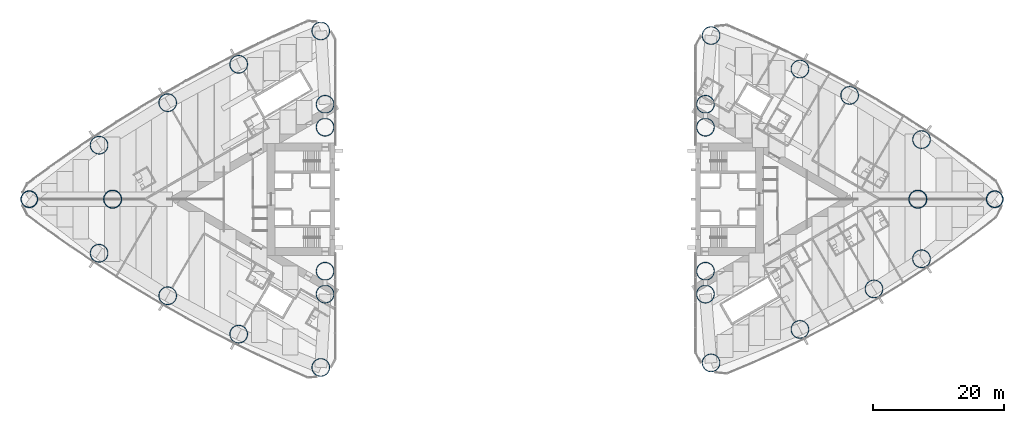
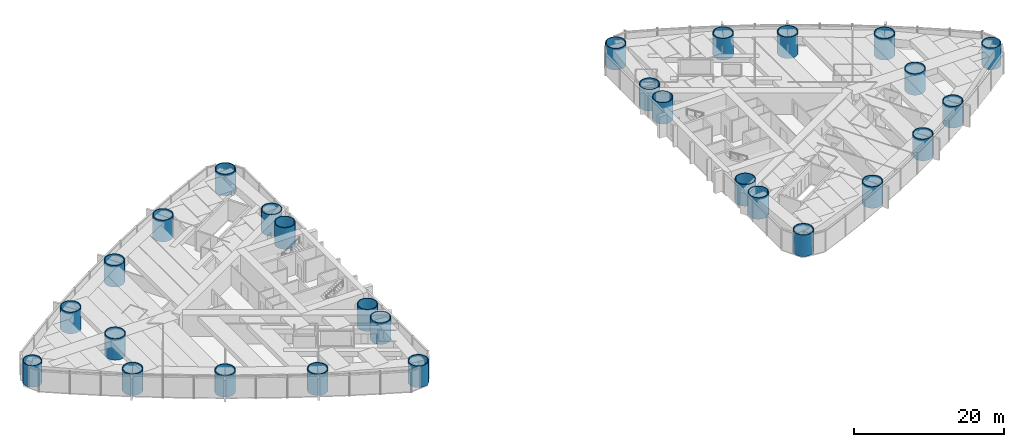
# One storey, part 1 of 18: 28 columns.
"""IFC4 building model written with IfcOpenShell, lengths in metres."""

from ifc_helpers import new_model, si_unit, direction, frame, origin, origin_2d, place, context, subcontext, project, spatial, hollow_circle, extrude, material, material_profile, profile_set, type_object, element, save


model = new_model("IFC4")

# Units and contexts
model_context = context("Model", 3, precision=1e-05, world=origin(), true_north=direction((0.0, 1.0)))
body_context = subcontext(model_context, "Body", "Model", "MODEL_VIEW")
ifc_project = project(units=[si_unit("LENGTHUNIT", "METRE"), si_unit("AREAUNIT", "SQUARE_METRE"), si_unit("VOLUMEUNIT", "CUBIC_METRE"), si_unit("PLANEANGLEUNIT", "RADIAN"), si_unit("MASSUNIT", "GRAM", prefix="KILO")], contexts=[model_context])

# Site, building, storey
site_placement = place(None, origin())
site = spatial("IfcSite", under=ifc_project, at=site_placement, CompositionType="ELEMENT")
building_placement = place(site_placement, origin())
building = spatial("IfcBuilding", under=site, at=building_placement, Name="Lancet Gate Hotel", CompositionType="ELEMENT")
storey_placement = place(building_placement, frame((0.0, 0.0, 49.5)))
storey = spatial("IfcBuildingStorey", under=building, at=storey_placement, Name="L12", CompositionType="ELEMENT", Elevation=49.5)

# Columns
ifc_material_1 = material(Name="Composite filled tube, grade 460 plate, grade 80/95 fill", Category="composite")
ifc_material_profile_1 = material_profile(ifc_material_1, hollow_circle(Radius=1.39990234375, WallThickness=0.10009765625, at=origin_2d()), Name="CHS 2800x100")
ifc_profile_set_1 = profile_set([ifc_material_profile_1], Name="Composite filled tube, grade 460 plate, grade 80/95 fill")
column_type_1 = type_object("IfcColumnType", Name="Apex column CFT CHS 2800x100", PredefinedType="COLUMN", material=ifc_profile_set_1)
for number, where, z_axis, x_axis, name in (
    (1, (-61.5, 0.0, 0.0), (0.0, 0.0, 1.0), (1.0, 0.0, 0.0), "T1 column AX L12"),
    (2, (61.5, 0.0, 0.0), (0.0, 0.0, 1.0), (1.0, 0.0, 0.0), "T2 column AX L12"),
):
    element("IfcColumn", number, at=place(storey_placement, frame(where, z_axis=z_axis, x_axis=x_axis)), inside=storey, type_object=column_type_1, Name=name, PredefinedType="COLUMN", context=body_context, shape_type="SweptSolid", body=[
        extrude(hollow_circle(Radius=1.39990234375, WallThickness=0.10009765625, at=origin_2d()), origin(), (0.0, 0.0, 1.0), 3.5),
    ])
ifc_material_2 = material(Name="Composite filled tube, grade 460 plate, grade 80/95 fill", Category="composite")
ifc_material_profile_2 = material_profile(ifc_material_2, hollow_circle(Radius=1.300048828125, WallThickness=0.10009765625, at=origin_2d()), Name="CHS 2600x100")
ifc_profile_set_2 = profile_set([ifc_material_profile_2], Name="Composite filled tube, grade 460 plate, grade 80/95 fill")
column_type_2 = type_object("IfcColumnType", Name="Apex corner column CFT CHS 2600x100", PredefinedType="COLUMN", material=ifc_profile_set_2)
for number, where, z_axis, x_axis, name in (
    (3, (-74.235107421875, 0.0, 0.0), (0.0, 0.0, 1.0), (1.0, 0.0, 0.0), "T1 column CA L12"),
    (4, (73.2392578125, 0.0, 0.0), (0.0, 0.0, 1.0), (1.0, 0.0, 0.0), "T2 column CA L12"),
):
    element("IfcColumn", number, at=place(storey_placement, frame(where, z_axis=z_axis, x_axis=x_axis)), inside=storey, type_object=column_type_2, Name=name, PredefinedType="COLUMN", context=body_context, shape_type="SweptSolid", body=[
        extrude(hollow_circle(Radius=1.300048828125, WallThickness=0.10009765625, at=origin_2d()), origin(), (0.0, 0.0, 1.0), 3.5),
    ])
ifc_material_3 = material(Name="Composite filled tube, grade 460 plate, grade 80/95 fill", Category="composite")
ifc_material_profile_3 = material_profile(ifc_material_3, hollow_circle(Radius=1.39990234375, WallThickness=0.1201171875, at=origin_2d()), Name="CHS 2800x120")
ifc_profile_set_3 = profile_set([ifc_material_profile_3], Name="Composite filled tube, grade 460 plate, grade 80/95 fill")
column_type_3 = type_object("IfcColumnType", Name="Perimeter column CFT CHS 2800x120", PredefinedType="COLUMN", material=ifc_profile_set_3)
for number, where, z_axis, x_axis, name in (
    (5, (-29.703369140625, -25.70263671875, 0.0), (0.0, 0.0, 1.0), (1.0, 0.0, 0.0), "T1 column CN L12"),
    (6, (-29.703369140625, 25.70263671875, 0.0), (0.0, 0.0, 1.0), (1.0, 0.0, 0.0), "T1 column CS L12"),
    (7, (-29.050048828125, -11.0, 0.0), (0.0, 0.0, 1.0), (1.0, 0.0, 0.0), "T1 column IN L12"),
    (8, (-29.050048828125, 11.0, 0.0), (0.0, 0.0, 1.0), (1.0, 0.0, 0.0), "T1 column IS L12"),
    (9, (-29.050048828125, 14.5, 0.0), (0.0, 0.0, 1.0), (1.0, 0.0, 0.0), "T1 column IT L12"),
    (10, (-29.050048828125, -14.5, 0.0), (0.0, 0.0, 1.0), (1.0, 0.0, 0.0), "T1 column JT L12"),
    (11, (-63.57177734375, -8.255126953125, 0.0), (0.0, 0.0, 1.0), (1.0, 0.0, 0.0), "T1 column ON1 L12"),
    (12, (-53.090087890625, -14.744873046875, 0.0), (0.0, 0.0, 1.0), (1.0, 0.0, 0.0), "T1 column ON2 L12"),
    (13, (-42.2451171875, -20.607421875, 0.0), (0.0, 0.0, 1.0), (1.0, 0.0, 0.0), "T1 column ON3 L12"),
    (14, (-42.2451171875, 20.607421875, 0.0), (0.0, 0.0, 1.0), (1.0, 0.0, 0.0), "T1 column OS1 L12"),
    (15, (-53.090087890625, 14.744873046875, 0.0), (0.0, 0.0, 1.0), (1.0, 0.0, 0.0), "T1 column OS2 L12"),
    (16, (-63.57177734375, 8.255126953125, 0.0), (0.0, 0.0, 1.0), (1.0, 0.0, 0.0), "T1 column OS3 L12"),
    (17, (29.9111328125, 25.00244140625, 0.0), (0.0, 0.0, 1.0), (1.0, 0.0, 0.0), "T2 column CN L12"),
    (18, (29.9111328125, -25.00244140625, 0.0), (0.0, 0.0, 1.0), (1.0, 0.0, 0.0), "T2 column CS L12"),
    (19, (29.050048828125, 11.0, 0.0), (0.0, 0.0, 1.0), (1.0, 0.0, 0.0), "T2 column IN L12"),
    (20, (29.050048828125, -11.0, 0.0), (0.0, 0.0, 1.0), (1.0, 0.0, 0.0), "T2 column IS L12"),
    (21, (29.050048828125, -14.5, 0.0), (0.0, 0.0, 1.0), (1.0, 0.0, 0.0), "T2 column IT L12"),
    (22, (29.050048828125, 14.5, 0.0), (0.0, 0.0, 1.0), (1.0, 0.0, 0.0), "T2 column JT L12"),
    (23, (62.059326171875, 9.10498046875, 0.0), (0.0, 0.0, 1.0), (1.0, 0.0, 0.0), "T2 column ON1 L12"),
    (24, (51.07763671875, 15.8583984375, 0.0), (0.0, 0.0, 1.0), (1.0, 0.0, 0.0), "T2 column ON2 L12"),
    (25, (43.484130859375, 19.886474609375, 0.0), (0.0, 0.0, 1.0), (1.0, 0.0, 0.0), "T2 column ON3 L12"),
    (26, (43.484130859375, -19.886474609375, 0.0), (0.0, 0.0, 1.0), (1.0, 0.0, 0.0), "T2 column OS1 L12"),
    (27, (54.795166015625, -13.70068359375, 0.0), (0.0, 0.0, 1.0), (1.0, 0.0, 0.0), "T2 column OS2 L12"),
    (28, (62.059326171875, -9.10498046875, 0.0), (0.0, 0.0, 1.0), (1.0, 0.0, 0.0), "T2 column OS3 L12"),
):
    element("IfcColumn", number, at=place(storey_placement, frame(where, z_axis=z_axis, x_axis=x_axis)), inside=storey, type_object=column_type_3, Name=name, PredefinedType="COLUMN", context=body_context, shape_type="SweptSolid", body=[
        extrude(hollow_circle(Radius=1.39990234375, WallThickness=0.1201171875, at=origin_2d()), origin(), (0.0, 0.0, 1.0), 3.5),
    ])

save(model, "model.ifc")
